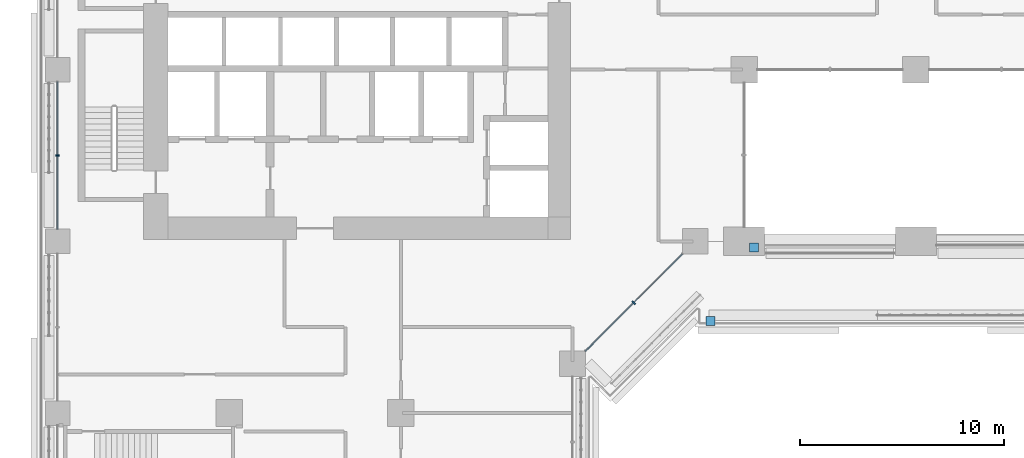
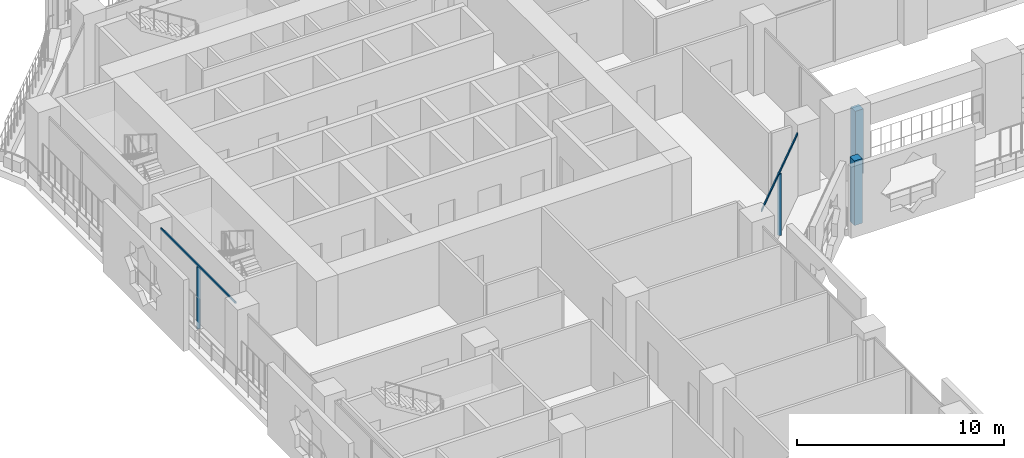
# One storey, part 4 of 28: 6 members, 3 elements without a shape of their own.
"""IFC4 building model written with IfcOpenShell, lengths in metres."""

from ifc_helpers import new_model, si_unit, direction, frame, origin, origin_2d, place, context, subcontext, project, spatial, rectangle, extrude, material, layer, layer_set, material_profile, profile_set, type_object, element, aggregate, save


model = new_model("IFC4")

# Units and contexts
model_context = context("Model", 3, precision=1e-05, world=origin(), true_north=direction((0.0, 1.0)))
body_context = subcontext(model_context, "Body", "Model", "MODEL_VIEW")
ifc_project = project(units=[si_unit("LENGTHUNIT", "METRE"), si_unit("AREAUNIT", "SQUARE_METRE"), si_unit("VOLUMEUNIT", "CUBIC_METRE"), si_unit("PLANEANGLEUNIT", "RADIAN"), si_unit("MASSUNIT", "GRAM", prefix="KILO")], contexts=[model_context])

# Site, building, storey
site_placement = place(None, origin())
site = spatial("IfcSite", under=ifc_project, at=site_placement, CompositionType="ELEMENT")
building_placement = place(site_placement, origin())
building = spatial("IfcBuilding", under=site, at=building_placement, Name="Kawkab Arch Medical Tower", CompositionType="ELEMENT")
storey_placement = place(building_placement, frame((0.0, 0.0, 47.60009765625)))
storey = spatial("IfcBuildingStorey", under=building, at=storey_placement, Name="L10", CompositionType="ELEMENT", Elevation=47.60009765625)

# Curtain wall, members
ifc_material_1 = material(Name="Bronze anodised aluminium curtain wall frame", Category="aluminium")
ifc_layer_1 = layer(ifc_material_1, 0.159912109375)
ifc_layer_set_1 = layer_set([ifc_layer_1], Name="Bronze anodised aluminium curtain wall frame")
curtain_wall_type_1 = type_object("IfcCurtainWallType", Name="CW1 ward curtain wall", PredefinedType="NOTDEFINED", material=ifc_layer_set_1)
placement = place(storey_placement, origin())
curtain_wall_1 = element("IfcCurtainWall", 1, at=placement, inside=storey, type_object=curtain_wall_type_1, Name="CW1 Ward curtain wall R11", PredefinedType="NOTDEFINED")
ifc_material_2 = material(Name="Bronze anodised aluminium curtain wall frame", Category="aluminium")
ifc_material_profile_1 = material_profile(ifc_material_2, rectangle(XDim=0.179931640625, YDim=0.06005859375, at=origin_2d()), Name="AL 60x180")
ifc_profile_set_1 = profile_set([ifc_material_profile_1], Name="Bronze anodised aluminium curtain wall frame")
member_type_1 = type_object("IfcMemberType", Name="CW1 mullion 60 x 180", PredefinedType="MULLION", material=ifc_profile_set_1)
member_1_placement = place(storey_placement, frame((0.0, -21.0, 0.0), z_axis=(0.0, 0.0, 1.0), x_axis=(1.0, 0.0, 0.0)))
member_1 = element("IfcMember", 2, at=member_1_placement, type_object=member_type_1, Name="CW1 mullion 2.1", PredefinedType="MULLION", context=body_context, shape_type="SweptSolid", body=[
    extrude(rectangle(XDim=0.179931640625, YDim=0.06005859375, at=origin_2d()), origin(), (0.0, 0.0, 1.0), 3.659912109375),
])
ifc_material_3 = material(Name="Bronze anodised aluminium curtain wall frame", Category="aluminium")
ifc_material_profile_2 = material_profile(ifc_material_3, rectangle(XDim=0.06005859375, YDim=0.1201171875, at=origin_2d()), Name="AL 60x120")
ifc_profile_set_2 = profile_set([ifc_material_profile_2], Name="Bronze anodised aluminium curtain wall frame")
member_type_2 = type_object("IfcMemberType", Name="CW1 transom 120 x 60", PredefinedType="USERDEFINED", material=ifc_profile_set_2)
member_2_placement = place(storey_placement, frame((0.0, -17.39990234375, 3.719970703125), z_axis=(0.0, -1.0, 0.0), x_axis=(1.0, 0.0, 0.0)))
member_2 = element("IfcMember", 3, at=member_2_placement, type_object=member_type_2, Name="CW1 transom 2", ObjectType="TRANSOM", PredefinedType="USERDEFINED", context=body_context, shape_type="SweptSolid", body=[
    extrude(rectangle(XDim=0.06005859375, YDim=0.1201171875, at=origin_2d()), origin(), (0.0, 0.0, 1.0), 7.2001953125),
])
aggregate(curtain_wall_1, [member_2, member_1])

ifc_material_4 = material(Name="Bronze anodised aluminium curtain wall frame", Category="aluminium")
ifc_layer_2 = layer(ifc_material_4, 0.159912109375)
ifc_layer_set_2 = layer_set([ifc_layer_2], Name="Bronze anodised aluminium curtain wall frame")
curtain_wall_type_2 = type_object("IfcCurtainWallType", Name="CW2 chamfer curtain wall", PredefinedType="NOTDEFINED", material=ifc_layer_set_2)
curtain_wall_2 = element("IfcCurtainWall", 4, at=placement, inside=storey, type_object=curtain_wall_type_2, Name="CW2 Chamfer curtain wall R16", PredefinedType="NOTDEFINED")
ifc_material_5 = material(Name="Bronze anodised aluminium curtain wall frame", Category="aluminium")
ifc_material_profile_3 = material_profile(ifc_material_5, rectangle(XDim=0.199951171875, YDim=0.06005859375, at=origin_2d()), Name="AL 60x200")
ifc_profile_set_3 = profile_set([ifc_material_profile_3], Name="Bronze anodised aluminium curtain wall frame")
member_type_3 = type_object("IfcMemberType", Name="CW2 mullion 60 x 200", PredefinedType="MULLION", material=ifc_profile_set_3)
member_3_placement = place(storey_placement, frame((28.199951171875, -28.199951171875, 0.0), z_axis=(0.0, 0.0, 1.0), x_axis=(-0.707106781187, 0.707106781187, 0.0)))
member_3 = element("IfcMember", 5, at=member_3_placement, type_object=member_type_3, Name="CW2 mullion 1.1", PredefinedType="MULLION", context=body_context, shape_type="SweptSolid", body=[
    extrude(rectangle(XDim=0.199951171875, YDim=0.06005859375, at=origin_2d()), origin(), (0.0, 0.0, 1.0), 3.639892578125),
])
ifc_material_6 = material(Name="Bronze anodised aluminium curtain wall frame", Category="aluminium")
ifc_material_profile_4 = material_profile(ifc_material_6, rectangle(XDim=0.06005859375, YDim=0.139892578125, at=origin_2d()), Name="AL 60x140")
ifc_profile_set_4 = profile_set([ifc_material_profile_4], Name="Bronze anodised aluminium curtain wall frame")
member_type_4 = type_object("IfcMemberType", Name="CW2 transom 140 x 60", PredefinedType="USERDEFINED", material=ifc_profile_set_4)
member_4_placement = place(storey_placement, frame((25.824951171875, -30.574951171875, 3.7099609375), z_axis=(0.707106781187, 0.707106781187, 0.0), x_axis=(-0.707106781187, 0.707106781187, 0.0)))
member_4 = element("IfcMember", 6, at=member_4_placement, type_object=member_type_4, Name="CW2 transom 1", ObjectType="TRANSOM", PredefinedType="USERDEFINED", context=body_context, shape_type="SweptSolid", body=[
    extrude(rectangle(XDim=0.06005859375, YDim=0.139892578125, at=origin_2d()), origin(), (0.0, 0.0, 1.0), 6.717529296875),
])
aggregate(curtain_wall_2, [member_4, member_3])

ifc_material_7 = material(Name="Bronze anodised aluminium climber frame, planted", Category="aluminium")
ifc_layer_3 = layer(ifc_material_7, 0.449951171875)
ifc_layer_set_3 = layer_set([ifc_layer_3], Name="Bronze anodised aluminium climber frame, planted")
curtain_wall_type_3 = type_object("IfcCurtainWallType", Name="Planted climber frame", PredefinedType="NOTDEFINED", material=ifc_layer_set_3)
curtain_wall_3 = element("IfcCurtainWall", 7, at=placement, inside=storey, type_object=curtain_wall_type_3, Name="Planted climber frame L10", PredefinedType="NOTDEFINED")
ifc_material_8 = material(Name="Bronze anodised aluminium climber frame, planted", Category="aluminium")
ifc_material_profile_5 = material_profile(ifc_material_8, rectangle(XDim=0.449951171875, YDim=0.449951171875, at=origin_2d()), Name="Post 450x450")
ifc_profile_set_5 = profile_set([ifc_material_profile_5], Name="Bronze anodised aluminium climber frame, planted")
member_type_5 = type_object("IfcMemberType", Name="Planted climber post 450 x 450", PredefinedType="MULLION", material=ifc_profile_set_5)
member_5_placement = place(storey_placement, frame((34.080078125, -25.5, 0.0), z_axis=(0.0, 0.0, 1.0), x_axis=(1.0, 0.0, 0.0)))
member_5 = element("IfcMember", 8, at=member_5_placement, type_object=member_type_5, Name="Planted climber post L10.LOG-01-01.1", PredefinedType="MULLION", context=body_context, shape_type="SweptSolid", body=[
    extrude(rectangle(XDim=0.449951171875, YDim=0.449951171875, at=origin_2d()), origin(), (0.0, 0.0, 1.0), 3.7998046875),
])
member_6_placement = place(storey_placement, frame((31.949951171875, -29.10009765625, 0.0), z_axis=(0.0, 0.0, 1.0), x_axis=(1.0, 0.0, 0.0)))
member_6 = element("IfcMember", 9, at=member_6_placement, type_object=member_type_5, Name="Planted climber post L10.LOG-01-02.4", PredefinedType="MULLION", context=body_context, shape_type="SweptSolid", body=[
    extrude(rectangle(XDim=0.449951171875, YDim=0.449951171875, at=origin_2d()), origin(), (0.0, 0.0, 1.0), 3.7998046875),
])
aggregate(curtain_wall_3, [member_5, member_6])

save(model, "model.ifc")
